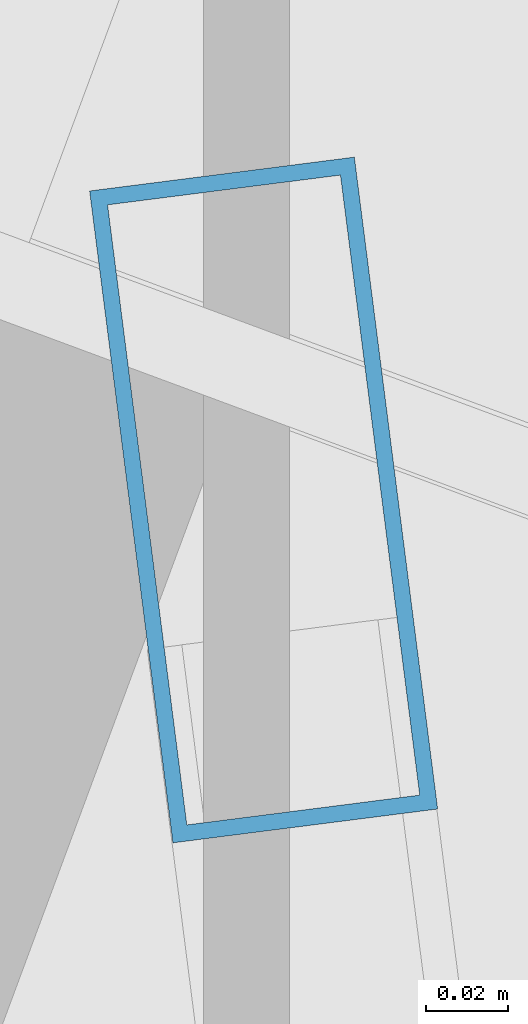
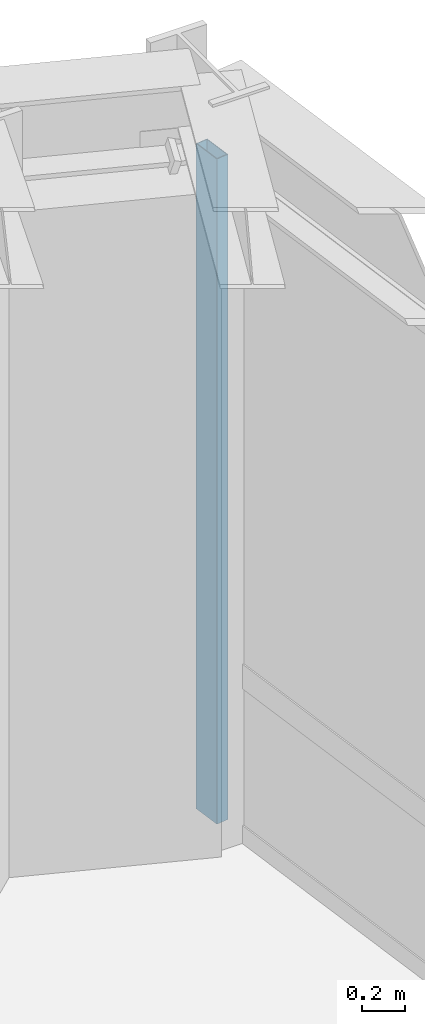
# One storey, part 13 of 23: 1 member, 1 element without a shape of its own.
"""IFC4 building model written with IfcOpenShell, lengths in metres."""

from ifc_helpers import new_model, si_unit, direction, frame, origin, origin_2d, place, context, subcontext, project, spatial, hollow_rectangle, extrude, source, transform, mapped, material, material_profile, profile_set, type_object, element, aggregate, save


model = new_model("IFC4")

# Units and contexts
model_context = context("Model", 3, precision=1e-05, world=origin(), true_north=direction((0.0, 1.0)))
body_context = subcontext(model_context, "Body", "Model", "MODEL_VIEW")
ifc_project = project(units=[si_unit("LENGTHUNIT", "METRE"), si_unit("AREAUNIT", "SQUARE_METRE"), si_unit("VOLUMEUNIT", "CUBIC_METRE"), si_unit("PLANEANGLEUNIT", "RADIAN"), si_unit("MASSUNIT", "GRAM", prefix="KILO")], contexts=[model_context])

# Site, building, storey
site_placement = place(None, origin())
site = spatial("IfcSite", under=ifc_project, at=site_placement, CompositionType="ELEMENT")
building_placement = place(site_placement, origin())
building = spatial("IfcBuilding", under=site, at=building_placement, Name="Olszyna Solenne Hotel", CompositionType="ELEMENT")
storey_placement = place(building_placement, frame((0.0, 0.0, 290.5)))
storey = spatial("IfcBuildingStorey", under=building, at=storey_placement, Name="L77", CompositionType="ELEMENT", Elevation=290.5)

# Curtain wall, member
ifc_material = material(Name="Anodised bronze aluminium", Category="aluminium")
curtain_wall_type = type_object("IfcCurtainWallType", Name="CW-SYS-7", PredefinedType="NOTDEFINED", material=ifc_material)
curtain_wall_placement = place(storey_placement, origin())
curtain_wall = element("IfcCurtainWall", 1, at=curtain_wall_placement, inside=storey, type_object=curtain_wall_type, Name="Unitised curtain wall CW-SYS-7 CW-L77-03", PredefinedType="NOTDEFINED")
ifc_material_profile = material_profile(ifc_material, hollow_rectangle(XDim=0.06494140625, YDim=0.159912109375, WallThickness=0.00390625, at=origin_2d()), Name="MULL 160x65x4", Category="load-bearing")
ifc_profile_set = profile_set([ifc_material_profile], Name="Anodised bronze aluminium")
member_type = type_object("IfcMemberType", Name="CW-M3", PredefinedType="MULLION", material=ifc_profile_set)
shared_shape = source(origin(), body_context, "Body", "SweptSolid", [
    extrude(hollow_rectangle(XDim=0.06494140625, YDim=0.159912109375, WallThickness=0.00390625, at=origin_2d()), origin(), (0.0, 0.0, 1.0), 3.781982421875),
])
member_placement = place(storey_placement, frame((47.734619140625, 51.508544921875, 0.0), z_axis=(0.0, 0.0, 1.0), x_axis=(0.9919296314, 0.126789614523, 0.0)))
member = element("IfcMember", 2, at=member_placement, type_object=member_type, Name="Curtain-wall mullion CW-M3 CM-L77-03-01", PredefinedType="MULLION", context=body_context, shape_type="MappedRepresentation", body=[
    mapped(shared_shape, transform((0.0, 0.0, 0.0), x_axis=(1.0, 0.0, 0.0), y_axis=(0.0, 1.0, 0.0), z_axis=(0.0, 0.0, 1.0), scale=1.0)),
])
aggregate(curtain_wall, [member])

save(model, "model.ifc")
